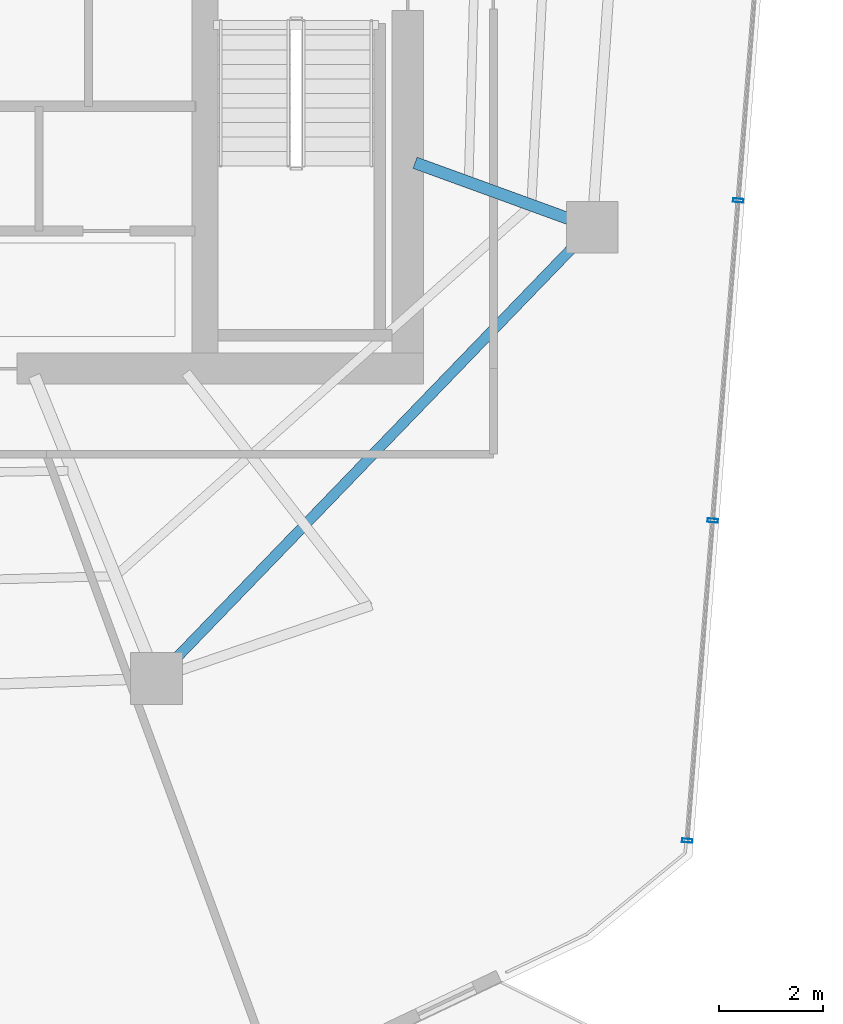
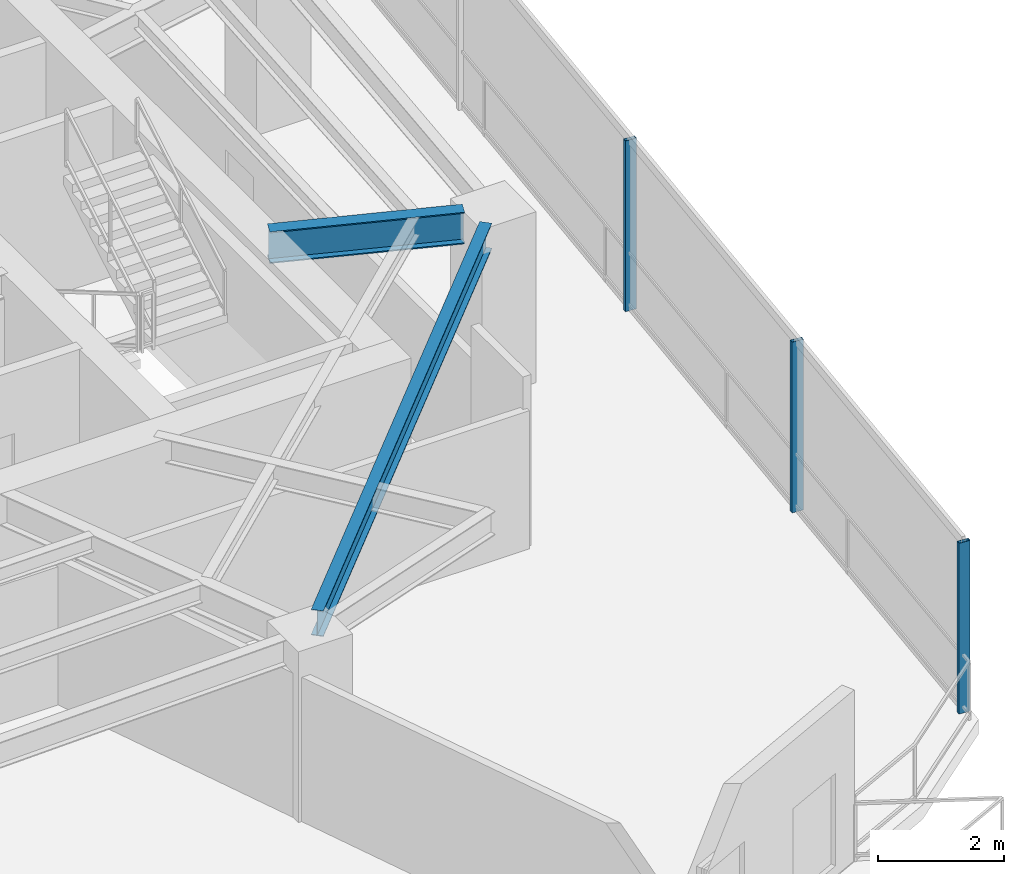
# One storey, part 9 of 21: 3 members, 2 beams, 1 element without a shape of its own.
"""IFC4 building model written with IfcOpenShell, lengths in metres."""

from ifc_helpers import new_model, si_unit, direction, frame, origin, origin_2d, place, context, subcontext, project, spatial, hollow_rectangle, i_section, extrude, material, layer, layer_set, material_profile, profile_set, type_object, element, aggregate, save


model = new_model("IFC4")

# Units and contexts
model_context = context("Model", 3, precision=1e-05, world=origin(), true_north=direction((0.0, 1.0)))
body_context = subcontext(model_context, "Body", "Model", "MODEL_VIEW")
ifc_project = project(units=[si_unit("LENGTHUNIT", "METRE"), si_unit("AREAUNIT", "SQUARE_METRE"), si_unit("VOLUMEUNIT", "CUBIC_METRE"), si_unit("PLANEANGLEUNIT", "RADIAN"), si_unit("MASSUNIT", "GRAM", prefix="KILO")], contexts=[model_context])

# Site, building, storey
site_placement = place(None, origin())
site = spatial("IfcSite", under=ifc_project, at=site_placement, CompositionType="ELEMENT")
building_placement = place(site_placement, origin())
building = spatial("IfcBuilding", under=site, at=building_placement, Name="Qarnah Convention Tower", CompositionType="ELEMENT")
storey_placement = place(building_placement, frame((0.0, 0.0, 161.699951171875)))
storey = spatial("IfcBuildingStorey", under=building, at=storey_placement, Name="L43", CompositionType="ELEMENT", Elevation=161.699951171875)

# Beams
ifc_material_1 = material(Name="Structural steel S355JR", Category="steel")
ifc_material_profile_1 = material_profile(ifc_material_1, i_section(OverallWidth=0.22998046875, OverallDepth=0.617919921875, WebThickness=0.012939453125, FlangeThickness=0.02197265625, at=origin_2d()), Name="W610X140")
ifc_profile_set_1 = profile_set([ifc_material_profile_1], Name="Structural steel S355JR")
beam_type_1 = type_object("IfcBeamType", Name="BM-RAD-W610A", PredefinedType="BEAM", material=ifc_profile_set_1)
beam_1_placement = place(storey_placement, frame((47.740966796875, 22.56396484375, 3.010986328125), z_axis=(0.939610124669, -0.342246714549, 0.0), x_axis=(0.342246714549, 0.939610124669, 0.0)))
element("IfcBeam", 1, at=beam_1_placement, inside=storey, type_object=beam_type_1, Name="L43 beam BM-L43-RAD-09", PredefinedType="BEAM", context=body_context, shape_type="SweptSolid", body=[
    extrude(i_section(OverallWidth=0.22998046875, OverallDepth=0.617919921875, WebThickness=0.012939453125, FlangeThickness=0.02197265625, at=origin_2d()), origin(), (0.0, 0.0, 1.0), 3.15234375),
])
ifc_material_profile_2 = material_profile(ifc_material_1, i_section(OverallWidth=0.199951171875, OverallDepth=0.5, WebThickness=0.010009765625, FlangeThickness=0.01611328125, at=origin_2d()), Name="IPE500")
ifc_profile_set_2 = profile_set([ifc_material_profile_2], Name="Structural steel S355JR")
beam_type_2 = type_object("IfcBeamType", Name="BM-SPN-IPE500", PredefinedType="SPANDREL", material=ifc_profile_set_2)
beam_2_placement = place(storey_placement, frame((43.10302734375, 12.98291015625, 3.070068359375), z_axis=(0.694605503013, 0.719390850084, 0.0), x_axis=(-0.719390850084, 0.694605503013, 0.0)))
element("IfcBeam", 2, at=beam_2_placement, inside=storey, type_object=beam_type_2, Name="L43 spandrel BM-L43-SPN-08", PredefinedType="SPANDREL", context=body_context, shape_type="SweptSolid", body=[
    extrude(i_section(OverallWidth=0.199951171875, OverallDepth=0.5, WebThickness=0.010009765625, FlangeThickness=0.01611328125, at=origin_2d()), origin(), (0.0, 0.0, 1.0), 11.10107421875),
])

# Curtain wall, members
ifc_material_2 = material(Name="Tempered Low-E dark glass", Category="glass")
ifc_layer = layer(ifc_material_2, 0.172119140625)
ifc_layer_set = layer_set([ifc_layer], Name="Tempered Low-E dark glass")
curtain_wall_type = type_object("IfcCurtainWallType", Name="CWS-03", PredefinedType="NOTDEFINED", material=ifc_layer_set)
curtain_wall_placement = place(storey_placement, origin())
curtain_wall = element("IfcCurtainWall", 3, at=curtain_wall_placement, inside=storey, type_object=curtain_wall_type, Name="L43 unitised curtain wall CW-L43-F1", PredefinedType="NOTDEFINED")
ifc_material_3 = material(Name="Black anodised aluminium", Category="aluminium")
ifc_material_profile_3 = material_profile(ifc_material_3, hollow_rectangle(XDim=0.070068359375, YDim=0.199951171875, WallThickness=0.0048828125, at=origin_2d()), Name="MUL-70X200")
ifc_profile_set_3 = profile_set([ifc_material_profile_3], Name="Black anodised aluminium")
member_type = type_object("IfcMemberType", Name="MUL-T3", PredefinedType="MULLION", material=ifc_profile_set_3)
member_1_placement = place(storey_placement, frame((53.967041015625, 21.837890625, 0.0), z_axis=(0.0, 0.0, 1.0), x_axis=(-0.079547299857, -0.996831092556, 0.0)))
member_1 = element("IfcMember", 4, at=member_1_placement, type_object=member_type, Name="CW-L43-F1 mullion 4", PredefinedType="MULLION", context=body_context, shape_type="SweptSolid", body=[
    extrude(hollow_rectangle(XDim=0.070068359375, YDim=0.199951171875, WallThickness=0.0048828125, at=origin_2d()), origin(), (0.0, 0.0, 1.0), 3.320068359375),
])
member_2_placement = place(storey_placement, frame((53.47509765625, 15.67236328125, 0.0), z_axis=(0.0, 0.0, 1.0), x_axis=(-0.079547299857, -0.996831092556, 0.0)))
member_2 = element("IfcMember", 5, at=member_2_placement, type_object=member_type, Name="CW-L43-F1 mullion 5", PredefinedType="MULLION", context=body_context, shape_type="SweptSolid", body=[
    extrude(hollow_rectangle(XDim=0.070068359375, YDim=0.199951171875, WallThickness=0.0048828125, at=origin_2d()), origin(), (0.0, 0.0, 1.0), 3.320068359375),
])
member_3_placement = place(storey_placement, frame((52.98291015625, 9.507080078125, 0.0), z_axis=(0.0, 0.0, 1.0), x_axis=(-0.079547299857, -0.996831092556, 0.0)))
member_3 = element("IfcMember", 6, at=member_3_placement, type_object=member_type, Name="CW-L43-F1 mullion 6", PredefinedType="MULLION", context=body_context, shape_type="SweptSolid", body=[
    extrude(hollow_rectangle(XDim=0.070068359375, YDim=0.199951171875, WallThickness=0.0048828125, at=origin_2d()), origin(), (0.0, 0.0, 1.0), 3.320068359375),
])
aggregate(curtain_wall, [member_1, member_2, member_3])

save(model, "model.ifc")
